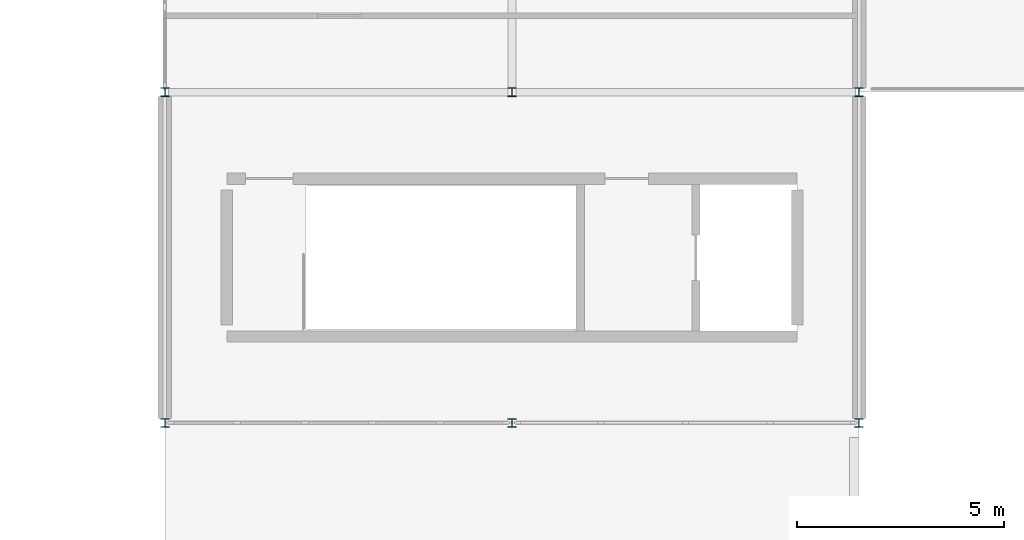
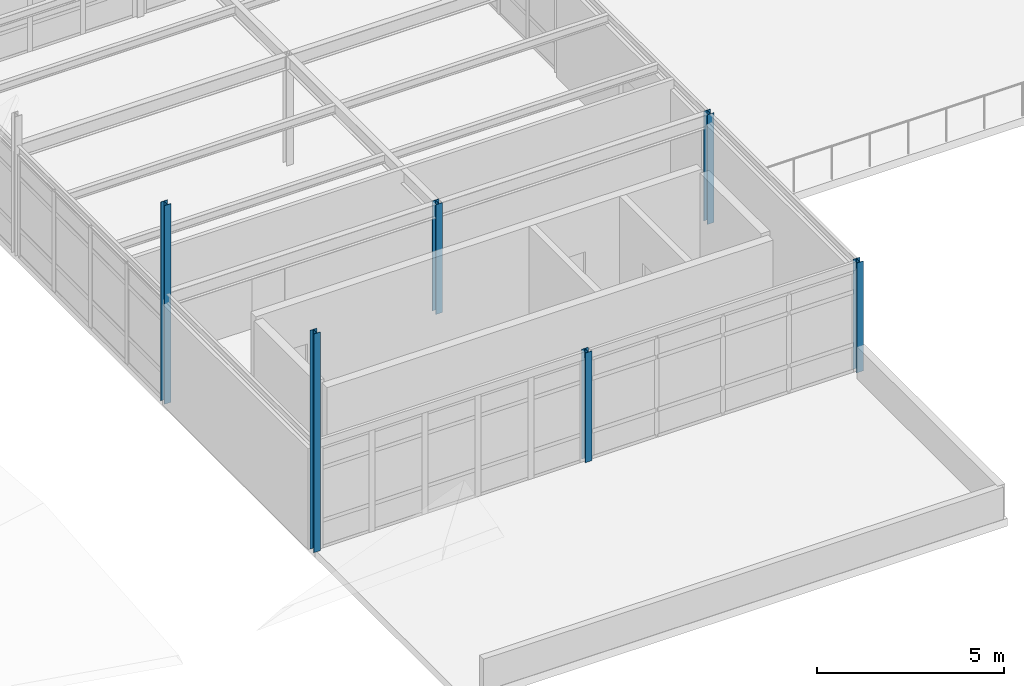
# One storey, part 4 of 32: 6 columns.
"""IFC4 building model written with IfcOpenShell, lengths in metres."""

from ifc_helpers import new_model, si_unit, direction, frame, origin, origin_2d, place, context, subcontext, project, spatial, i_section, extrude, material, material_profile, profile_set, type_object, element, save


model = new_model("IFC4")

# Units and contexts
model_context = context("Model", 3, precision=1e-05, world=origin(), true_north=direction((0.0, 1.0)))
body_context = subcontext(model_context, "Body", "Model", "MODEL_VIEW")
ifc_project = project(units=[si_unit("LENGTHUNIT", "METRE"), si_unit("AREAUNIT", "SQUARE_METRE"), si_unit("VOLUMEUNIT", "CUBIC_METRE"), si_unit("PLANEANGLEUNIT", "RADIAN"), si_unit("MASSUNIT", "GRAM", prefix="KILO")], contexts=[model_context])

# Site, building, storey
site_placement = place(None, origin())
site = spatial("IfcSite", under=ifc_project, at=site_placement, CompositionType="ELEMENT")
building_placement = place(site_placement, origin())
building = spatial("IfcBuilding", under=site, at=building_placement, Name="Kranzveld Transit Interchange", CompositionType="ELEMENT")
storey_placement = place(building_placement, frame((0.0, 0.0, 17.199951171875)))
storey = spatial("IfcBuildingStorey", under=building, at=storey_placement, Name="L04", CompositionType="ELEMENT", Elevation=17.199951171875)

# Columns
ifc_material = material(Name="Steel S355JR", Category="steel")
ifc_material_profile = material_profile(ifc_material, i_section(OverallWidth=0.205810546875, OverallDepth=0.209716796875, WebThickness=0.009521484375, FlangeThickness=0.01416015625, FilletRadius=0.01025390625, at=origin_2d()), Name="UC 203x203x60")
ifc_profile_set = profile_set([ifc_material_profile], Name="Steel S355JR")
column_type = type_object("IfcColumnType", Name="Column Steel UC 203x203x60 S355JR", PredefinedType="COLUMN", material=ifc_profile_set)
column_1_placement = place(storey_placement, frame((100.800048828125, 72.0, 0.0), z_axis=(0.0, 0.0, 1.0), x_axis=(1.0, 0.0, 0.0)))
element("IfcColumn", 1, at=column_1_placement, inside=storey, type_object=column_type, Name="L04 Column 13/K", PredefinedType="COLUMN", context=body_context, shape_type="SweptSolid", body=[
    extrude(i_section(OverallWidth=0.205810546875, OverallDepth=0.209716796875, WebThickness=0.009521484375, FlangeThickness=0.01416015625, FilletRadius=0.01025390625, at=origin_2d()), origin(), (0.0, 0.0, 1.0), 7.150146484375),
])
column_2_placement = place(storey_placement, frame((100.800048828125, 80.0, 0.0), z_axis=(0.0, 0.0, 1.0), x_axis=(1.0, 0.0, 0.0)))
element("IfcColumn", 2, at=column_2_placement, inside=storey, type_object=column_type, Name="L04 Column 13/L", PredefinedType="COLUMN", context=body_context, shape_type="SweptSolid", body=[
    extrude(i_section(OverallWidth=0.205810546875, OverallDepth=0.209716796875, WebThickness=0.009521484375, FlangeThickness=0.01416015625, FilletRadius=0.01025390625, at=origin_2d()), origin(), (0.0, 0.0, 1.0), 6.5),
])
for number, where, z_axis, x_axis, name in (
    (3, (109.199951171875, 72.0, 0.0), (0.0, 0.0, 1.0), (1.0, 0.0, 0.0), "L04 Column 14/K"),
    (4, (109.199951171875, 80.0, 0.0), (0.0, 0.0, 1.0), (1.0, 0.0, 0.0), "L04 Column 14/L"),
    (5, (117.60009765625, 72.0, 0.0), (0.0, 0.0, 1.0), (1.0, 0.0, 0.0), "L04 Column 15/K"),
    (6, (117.60009765625, 80.0, 0.0), (0.0, 0.0, 1.0), (1.0, 0.0, 0.0), "L04 Column 15/L"),
):
    element("IfcColumn", number, at=place(storey_placement, frame(where, z_axis=z_axis, x_axis=x_axis)), inside=storey, type_object=column_type, Name=name, PredefinedType="COLUMN", context=body_context, shape_type="SweptSolid", body=[
        extrude(i_section(OverallWidth=0.205810546875, OverallDepth=0.209716796875, WebThickness=0.009521484375, FlangeThickness=0.01416015625, FilletRadius=0.01025390625, at=origin_2d()), origin(), (0.0, 0.0, 1.0), 3.590087890625),
    ])

save(model, "model.ifc")
